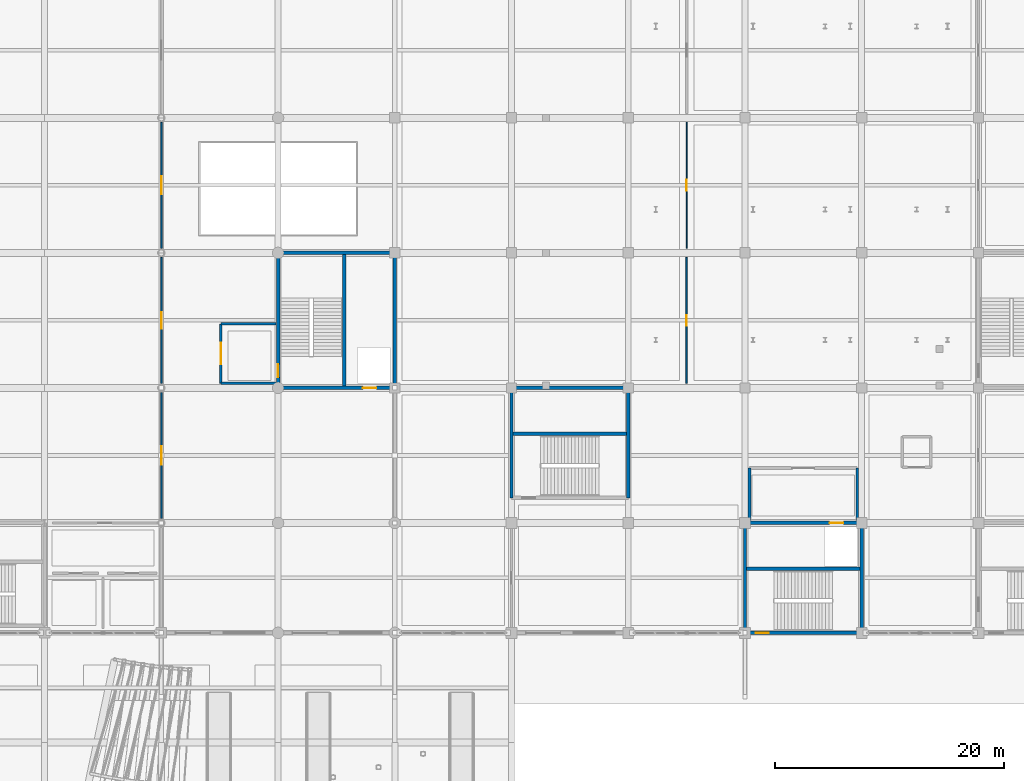
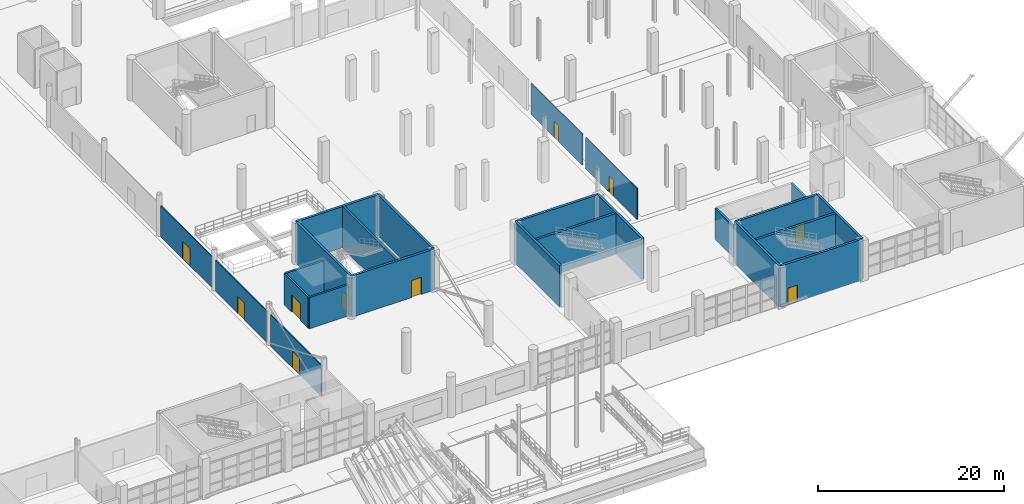
# One storey, part 92 of 124: 24 walls, 10 doors, 10 openings.
"""IFC4 building model written with IfcOpenShell, lengths in metres."""

from ifc_helpers import new_model, si_unit, direction, frame, frame_2d, origin, place, context, subcontext, project, spatial, rectangle, extrude, material, layer, layer_set, type_object, element, fill, save


model = new_model("IFC4")

# Units and contexts
model_context = context("Model", 3, precision=1e-05, world=origin(), true_north=direction((0.0, 1.0)))
body_context = subcontext(model_context, "Body", "Model", "MODEL_VIEW")
ifc_project = project(units=[si_unit("LENGTHUNIT", "METRE"), si_unit("AREAUNIT", "SQUARE_METRE"), si_unit("VOLUMEUNIT", "CUBIC_METRE"), si_unit("PLANEANGLEUNIT", "RADIAN"), si_unit("MASSUNIT", "GRAM", prefix="KILO")], contexts=[model_context])

# Site, building, storey
site_placement = place(None, origin())
site = spatial("IfcSite", under=ifc_project, at=site_placement, CompositionType="ELEMENT")
building_placement = place(site_placement, origin())
building = spatial("IfcBuilding", under=site, at=building_placement, Name="Brelvane Convention Centre", CompositionType="ELEMENT")
storey_placement = place(building_placement, origin())
storey = spatial("IfcBuildingStorey", under=building, at=storey_placement, Name="L00", CompositionType="ELEMENT", Elevation=0.0)

# Wall, opening, door
ifc_material_1 = material(Name="Concrete M40", Category="concrete")
ifc_layer_1 = layer(ifc_material_1, 0.239990234375)
ifc_layer_set_1 = layer_set([ifc_layer_1], Name="Concrete M40")
wall_type_1 = type_object("IfcWallType", Name="Interior Wall IW-FR-240", PredefinedType="PARTITIONING", material=ifc_layer_set_1)
wall_1_placement = place(storey_placement, frame((148.0, 41.0, 0.0), z_axis=(0.0, 0.0, 1.0), x_axis=(0.0, 1.0, 0.0)))
wall_1 = element("IfcWall", 1, at=wall_1_placement, inside=storey, type_object=wall_type_1, Name="Firefighting Lobby C3 Wall W (L00)", PredefinedType="PARTITIONING", context=body_context, shape_type="SweptSolid", body=[
    extrude(rectangle(XDim=5.199951171875, YDim=0.239990234375, at=frame_2d((2.60009765625, 0.0))), origin(), (0.0, 0.0, 1.0), 4.080078125),
])
opening_1_placement = place(wall_1_placement, frame((1.64990234375, 0.0, 0.0)))
opening_1 = element("IfcOpeningElement", 2, at=opening_1_placement, cuts=wall_1, Name="Opening DR-FL-01", PredefinedType="OPENING", context=body_context, shape_type="SweptSolid", body=[
    extrude(rectangle(XDim=1.89990234375, YDim=2.25, at=frame_2d((0.949951171875, 1.125))), frame((0.0, 0.1298828125, 0.0), z_axis=(0.0, -1.0, 0.0), x_axis=(1.0, 0.0, 0.0)), (0.0, 0.0, 1.0), 0.260009765625),
])
ifc_material_2 = material(Name="Galvanised Hollow-Metal Fire Door Steel E250", Category="steel")
door_type_1 = type_object("IfcDoorType", Name="Interior Door DR-FL-01", OperationType="NOTDEFINED", PredefinedType="DOOR", material=ifc_material_2)
door_1_placement = place(opening_1_placement, origin())
door_1 = element("IfcDoor", 3, at=door_1_placement, inside=storey, type_object=door_type_1, Name="Firefighting Lobby C3 Smoke Door (L00)", OperationType="DOUBLE_DOOR_SINGLE_SWING", OverallHeight=2.25, OverallWidth=1.89990234375, PredefinedType="DOOR", context=body_context, shape_type="SweptSolid", body=[
    extrude(rectangle(XDim=1.89990234375, YDim=2.25, at=frame_2d((0.949951171875, 1.125))), frame((0.0, 0.02490234375, 0.0), z_axis=(0.0, -1.0, 0.0), x_axis=(1.0, 0.0, 0.0)), (0.0, 0.0, 1.0), 0.050048828125),
])
fill(opening_1, door_1)

# Walls
for number, where, z_axis, x_axis, name in (
    (4, (148.0, 46.199951171875, 0.0), (0.0, 0.0, 1.0), (1.0, 0.0, 0.0), "Firefighting Lobby C3 Wall N (L00)"),
    (5, (148.0, 41.0, 0.0), (0.0, 0.0, 1.0), (1.0, 0.0, 0.0), "Firefighting Lobby C3 Wall S (L00)"),
):
    element("IfcWall", number, at=place(storey_placement, frame(where, z_axis=z_axis, x_axis=x_axis)), inside=storey, type_object=wall_type_1, Name=name, PredefinedType="PARTITIONING", context=body_context, shape_type="SweptSolid", body=[
        extrude(rectangle(XDim=4.800048828125, YDim=0.239990234375, at=frame_2d((2.39990234375, 0.0))), origin(), (0.0, 0.0, 1.0), 4.080078125),
    ])
for number, where, z_axis, x_axis, name in (
    (6, (203.60009765625, 29.0, 0.0), (0.0, 0.0, 1.0), (0.0, 1.0, 0.0), "Firefighting Lobby C8 Wall E (L00)"),
    (7, (194.199951171875, 29.0, 0.0), (0.0, 0.0, 1.0), (0.0, 1.0, 0.0), "Firefighting Lobby C8 Wall W (L00)"),
):
    element("IfcWall", number, at=place(storey_placement, frame(where, z_axis=z_axis, x_axis=x_axis)), inside=storey, type_object=wall_type_1, Name=name, PredefinedType="PARTITIONING", context=body_context, shape_type="SweptSolid", body=[
        extrude(rectangle(XDim=4.60009765625, YDim=0.239990234375, at=frame_2d((2.300048828125, 0.0))), origin(), (0.0, 0.0, 1.0), 4.080078125),
    ])

# Wall, opening, door
ifc_material_3 = material(Name="Fire-Rated Acoustic Gypsum Partition Board Grade A")
ifc_layer_2 = layer(ifc_material_3, 0.10498046875)
ifc_layer_set_2 = layer_set([ifc_layer_2], Name="Fire-Rated Acoustic Gypsum Partition Board Grade A")
wall_type_2 = type_object("IfcWallType", Name="Interior Wall IW-PT-105", PredefinedType="PARTITIONING", material=ifc_layer_set_2)
wall_2_placement = place(storey_placement, frame((188.699951171875, 52.800048828125, 0.0), z_axis=(0.0, 0.0, 1.0), x_axis=(0.0, 1.0, 0.0)))
wall_2 = element("IfcWall", 8, at=wall_2_placement, inside=storey, type_object=wall_type_2, Name="Interior Partition L00-MED-2", PredefinedType="PARTITIONING", context=body_context, shape_type="SweptSolid", body=[
    extrude(rectangle(XDim=11.0, YDim=0.10498046875, at=frame_2d((5.5, 0.0))), origin(), (0.0, 0.0, 1.0), 4.080078125),
])
opening_2_placement = place(wall_2_placement, frame((5.02001953125, 0.0, 0.0)))
opening_2 = element("IfcOpeningElement", 9, at=opening_2_placement, cuts=wall_2, Name="Opening DR-IN-03R", PredefinedType="OPENING", context=body_context, shape_type="SweptSolid", body=[
    extrude(rectangle(XDim=0.9599609375, YDim=2.10009765625, at=frame_2d((0.47998046875, 1.050048828125))), frame((0.0, 0.0625, 0.0), z_axis=(0.0, -1.0, 0.0), x_axis=(1.0, 0.0, 0.0)), (0.0, 0.0, 1.0), 0.125),
])
ifc_material_4 = material(Name="Solid-Core Fire-Rated Hardwood Leaf Grade 1", Category="wood")
door_type_2 = type_object("IfcDoorType", Name="Interior Door DR-IN-03R", OperationType="NOTDEFINED", PredefinedType="DOOR", material=ifc_material_4)
door_2_placement = place(opening_2_placement, origin())
door_2 = element("IfcDoor", 10, at=door_2_placement, inside=storey, type_object=door_type_2, Name="Interior Door L00-MED-2 (DR-IN-03R)", OperationType="SINGLE_SWING_RIGHT", OverallHeight=2.10009765625, OverallWidth=0.9599609375, PredefinedType="DOOR", context=body_context, shape_type="SweptSolid", body=[
    extrude(rectangle(XDim=0.9599609375, YDim=2.10009765625, at=frame_2d((0.47998046875, 1.050048828125))), frame((0.0, 0.02490234375, 0.0), z_axis=(0.0, -1.0, 0.0), x_axis=(1.0, 0.0, 0.0)), (0.0, 0.0, 1.0), 0.050048828125),
])
fill(opening_2, door_2)

ifc_material_5 = material(Name="Fire-Rated Acoustic Gypsum Partition Board Grade A")
ifc_layer_3 = layer(ifc_material_5, 0.114990234375)
ifc_layer_set_3 = layer_set([ifc_layer_3], Name="Fire-Rated Acoustic Gypsum Partition Board Grade A")
wall_type_3 = type_object("IfcWallType", Name="Interior Wall IW-PT-115", PredefinedType="PARTITIONING", material=ifc_layer_set_3)
wall_3_placement = place(storey_placement, frame((142.800048828125, 52.800048828125, 0.0), z_axis=(0.0, 0.0, 1.0), x_axis=(0.0, 1.0, 0.0)))
wall_3 = element("IfcWall", 11, at=wall_3_placement, inside=storey, type_object=wall_type_3, Name="Interior Partition L00-EXH-E3", PredefinedType="PARTITIONING", context=body_context, shape_type="SweptSolid", body=[
    extrude(rectangle(XDim=11.0, YDim=0.114990234375, at=frame_2d((5.5, 0.0))), origin(), (0.0, 0.0, 1.0), 4.080078125),
])
opening_3_placement = place(wall_3_placement, frame((4.72509765625, 0.0, 0.0)))
opening_3 = element("IfcOpeningElement", 12, at=opening_3_placement, cuts=wall_3, Name="Opening DR-IN-16", PredefinedType="OPENING", context=body_context, shape_type="SweptSolid", body=[
    extrude(rectangle(XDim=1.550048828125, YDim=2.239990234375, at=frame_2d((0.77490234375, 1.1201171875))), frame((0.0, 0.0673828125, 0.0), z_axis=(0.0, -1.0, 0.0), x_axis=(1.0, 0.0, 0.0)), (0.0, 0.0, 1.0), 0.135009765625),
])
ifc_material_6 = material(Name="Solid-Core Fire-Rated Hardwood Leaf Grade 1", Category="wood")
door_type_3 = type_object("IfcDoorType", Name="Interior Door DR-IN-16", OperationType="NOTDEFINED", PredefinedType="DOOR", material=ifc_material_6)
door_3_placement = place(opening_3_placement, origin())
door_3 = element("IfcDoor", 13, at=door_3_placement, inside=storey, type_object=door_type_3, Name="Interior Door L00-EXH-E3 (DR-IN-16)", OperationType="DOUBLE_DOOR_SINGLE_SWING", OverallHeight=2.239990234375, OverallWidth=1.550048828125, PredefinedType="DOOR", context=body_context, shape_type="SweptSolid", body=[
    extrude(rectangle(XDim=1.550048828125, YDim=2.239990234375, at=frame_2d((0.77490234375, 1.1201171875))), frame((0.0, 0.02490234375, 0.0), z_axis=(0.0, -1.0, 0.0), x_axis=(1.0, 0.0, 0.0)), (0.0, 0.0, 1.0), 0.050048828125),
])
fill(opening_3, door_3)

wall_4_placement = place(storey_placement, frame((188.699951171875, 41.0, 0.0), z_axis=(0.0, 0.0, 1.0), x_axis=(0.0, 1.0, 0.0)))
wall_4 = element("IfcWall", 14, at=wall_4_placement, inside=storey, type_object=wall_type_3, Name="Interior Partition L00-MED-1", PredefinedType="PARTITIONING", context=body_context, shape_type="SweptSolid", body=[
    extrude(rectangle(XDim=11.0, YDim=0.114990234375, at=frame_2d((5.5, 0.0))), origin(), (0.0, 0.0, 1.0), 4.080078125),
])
opening_4_placement = place(wall_4_placement, frame((5.0400390625, 0.0, 0.0)))
opening_4 = element("IfcOpeningElement", 15, at=opening_4_placement, cuts=wall_4, Name="Opening DR-IN-03L", PredefinedType="OPENING", context=body_context, shape_type="SweptSolid", body=[
    extrude(rectangle(XDim=0.919921875, YDim=2.10009765625, at=frame_2d((0.4599609375, 1.050048828125))), frame((0.0, 0.0673828125, 0.0), z_axis=(0.0, -1.0, 0.0), x_axis=(1.0, 0.0, 0.0)), (0.0, 0.0, 1.0), 0.135009765625),
])
ifc_material_7 = material(Name="Solid-Core Fire-Rated Hardwood Leaf Grade 1", Category="wood")
door_type_4 = type_object("IfcDoorType", Name="Interior Door DR-IN-03L", OperationType="NOTDEFINED", PredefinedType="DOOR", material=ifc_material_7)
door_4_placement = place(opening_4_placement, origin())
door_4 = element("IfcDoor", 16, at=door_4_placement, inside=storey, type_object=door_type_4, Name="Interior Door L00-MED-1 (DR-IN-03L)", OperationType="SINGLE_SWING_LEFT", OverallHeight=2.10009765625, OverallWidth=0.919921875, PredefinedType="DOOR", context=body_context, shape_type="SweptSolid", body=[
    extrude(rectangle(XDim=0.919921875, YDim=2.10009765625, at=frame_2d((0.4599609375, 1.050048828125))), frame((0.0, 0.02490234375, 0.0), z_axis=(0.0, -1.0, 0.0), x_axis=(1.0, 0.0, 0.0)), (0.0, 0.0, 1.0), 0.050048828125),
])
fill(opening_4, door_4)

ifc_material_8 = material(Name="Fire-Rated Acoustic Gypsum Partition Board Grade A")
ifc_layer_4 = layer(ifc_material_8, 0.125)
ifc_layer_set_4 = layer_set([ifc_layer_4], Name="Fire-Rated Acoustic Gypsum Partition Board Grade A")
wall_type_4 = type_object("IfcWallType", Name="Interior Wall IW-PT-125", PredefinedType="PARTITIONING", material=ifc_layer_set_4)
wall_5_placement = place(storey_placement, frame((142.800048828125, 41.0, 0.0), z_axis=(0.0, 0.0, 1.0), x_axis=(0.0, 1.0, 0.0)))
wall_5 = element("IfcWall", 17, at=wall_5_placement, inside=storey, type_object=wall_type_4, Name="Interior Partition L00-EXH-E2", PredefinedType="PARTITIONING", context=body_context, shape_type="SweptSolid", body=[
    extrude(rectangle(XDim=11.0, YDim=0.125, at=frame_2d((5.5, 0.0))), origin(), (0.0, 0.0, 1.0), 4.080078125),
])
opening_5_placement = place(wall_5_placement, frame((4.77490234375, 0.0, 0.0)))
opening_5 = element("IfcOpeningElement", 18, at=opening_5_placement, cuts=wall_5, Name="Opening DR-IN-15", PredefinedType="OPENING", context=body_context, shape_type="SweptSolid", body=[
    extrude(rectangle(XDim=1.449951171875, YDim=2.219970703125, at=frame_2d((0.72509765625, 1.10986328125))), frame((0.0, 0.072509765625, 0.0), z_axis=(0.0, -1.0, 0.0), x_axis=(1.0, 0.0, 0.0)), (0.0, 0.0, 1.0), 0.14501953125),
])
ifc_material_9 = material(Name="Solid-Core Fire-Rated Hardwood Leaf Grade 1", Category="wood")
door_type_5 = type_object("IfcDoorType", Name="Interior Door DR-IN-15", OperationType="NOTDEFINED", PredefinedType="DOOR", material=ifc_material_9)
door_5_placement = place(opening_5_placement, origin())
door_5 = element("IfcDoor", 19, at=door_5_placement, inside=storey, type_object=door_type_5, Name="Interior Door L00-EXH-E2 (DR-IN-15)", OperationType="DOUBLE_DOOR_SINGLE_SWING", OverallHeight=2.219970703125, OverallWidth=1.449951171875, PredefinedType="DOOR", context=body_context, shape_type="SweptSolid", body=[
    extrude(rectangle(XDim=1.449951171875, YDim=2.219970703125, at=frame_2d((0.72509765625, 1.10986328125))), frame((0.0, 0.02490234375, 0.0), z_axis=(0.0, -1.0, 0.0), x_axis=(1.0, 0.0, 0.0)), (0.0, 0.0, 1.0), 0.050048828125),
])
fill(opening_5, door_5)

ifc_material_10 = material(Name="Fire-Rated Acoustic Gypsum Partition Board Grade A")
ifc_layer_5 = layer(ifc_material_10, 0.135009765625)
ifc_layer_set_5 = layer_set([ifc_layer_5], Name="Fire-Rated Acoustic Gypsum Partition Board Grade A")
wall_type_5 = type_object("IfcWallType", Name="Interior Wall IW-PT-135", PredefinedType="PARTITIONING", material=ifc_layer_set_5)
wall_6_placement = place(storey_placement, frame((142.800048828125, 29.199951171875, 0.0), z_axis=(0.0, 0.0, 1.0), x_axis=(0.0, 1.0, 0.0)))
wall_6 = element("IfcWall", 20, at=wall_6_placement, inside=storey, type_object=wall_type_5, Name="Interior Partition L00-EXH-E1", PredefinedType="PARTITIONING", context=body_context, shape_type="SweptSolid", body=[
    extrude(rectangle(XDim=11.0, YDim=0.135009765625, at=frame_2d((5.5, 0.0))), origin(), (0.0, 0.0, 1.0), 4.080078125),
])
opening_6_placement = place(wall_6_placement, frame((4.699951171875, 0.0, 0.0)))
opening_6 = element("IfcOpeningElement", 21, at=opening_6_placement, cuts=wall_6, Name="Opening DR-FL-02", PredefinedType="OPENING", context=body_context, shape_type="SweptSolid", body=[
    extrude(rectangle(XDim=1.60009765625, YDim=2.199951171875, at=frame_2d((0.800048828125, 1.10009765625))), frame((0.0, 0.077392578125, 0.0), z_axis=(0.0, -1.0, 0.0), x_axis=(1.0, 0.0, 0.0)), (0.0, 0.0, 1.0), 0.155029296875),
])
ifc_material_11 = material(Name="Galvanised Hollow-Metal Fire Door Steel E250", Category="steel")
door_type_6 = type_object("IfcDoorType", Name="Interior Door DR-FL-02", OperationType="NOTDEFINED", PredefinedType="DOOR", material=ifc_material_11)
door_6_placement = place(opening_6_placement, origin())
door_6 = element("IfcDoor", 22, at=door_6_placement, inside=storey, type_object=door_type_6, Name="Interior Door L00-EXH-E1 (DR-FL-02)", OperationType="DOUBLE_DOOR_SINGLE_SWING", OverallHeight=2.199951171875, OverallWidth=1.60009765625, PredefinedType="DOOR", context=body_context, shape_type="SweptSolid", body=[
    extrude(rectangle(XDim=1.60009765625, YDim=2.199951171875, at=frame_2d((0.800048828125, 1.10009765625))), frame((0.0, 0.02490234375, 0.0), z_axis=(0.0, -1.0, 0.0), x_axis=(1.0, 0.0, 0.0)), (0.0, 0.0, 1.0), 0.050048828125),
])
fill(opening_6, door_6)

ifc_material_12 = material(Name="Concrete M50", Category="concrete")
ifc_layer_6 = layer(ifc_material_12, 0.300048828125)
ifc_layer_set_6 = layer_set([ifc_layer_6], Name="Concrete M50")
wall_type_6 = type_object("IfcWallType", Name="Structural Wall WL-CORE-300", PredefinedType="SHEAR", material=ifc_layer_set_6)
wall_7_placement = place(storey_placement, frame((153.0, 40.60009765625, 0.0), z_axis=(0.0, 0.0, 1.0), x_axis=(1.0, 0.0, 0.0)))
wall_7 = element("IfcWall", 23, at=wall_7_placement, inside=storey, type_object=wall_type_6, Name="Core C3 Shear Wall S (L00)", PredefinedType="SHEAR", context=body_context, shape_type="SweptSolid", body=[
    extrude(rectangle(XDim=10.199951171875, YDim=0.300048828125, at=frame_2d((5.10009765625, 0.0))), origin(), (0.0, 0.0, 1.0), 5.39990234375),
])
opening_7_placement = place(wall_7_placement, frame((7.39990234375, 0.0, 0.0)))
opening_7 = element("IfcOpeningElement", 24, at=opening_7_placement, cuts=wall_7, Name="Opening LD-01", PredefinedType="OPENING", context=body_context, shape_type="SweptSolid", body=[
    extrude(rectangle(XDim=1.199951171875, YDim=2.25, at=frame_2d((0.60009765625, 1.125))), frame((0.0, 0.159912109375, 0.0), z_axis=(0.0, -1.0, 0.0), x_axis=(1.0, 0.0, 0.0)), (0.0, 0.0, 1.0), 0.320068359375),
])
ifc_material_13 = material(Name="Galvanised Hollow-Metal Fire Door Steel E250", Category="steel")
door_type_7 = type_object("IfcDoorType", Name="Interior Door LD-01", OperationType="NOTDEFINED", PredefinedType="DOOR", material=ifc_material_13)
door_7_placement = place(opening_7_placement, origin())
door_7 = element("IfcDoor", 25, at=door_7_placement, inside=storey, type_object=door_type_7, Name="Lift LF-02 Landing Door (L00)", OperationType="SLIDING_TO_LEFT", OverallHeight=2.25, OverallWidth=1.199951171875, PredefinedType="DOOR", context=body_context, shape_type="SweptSolid", body=[
    extrude(rectangle(XDim=1.199951171875, YDim=2.25, at=frame_2d((0.60009765625, 1.125))), frame((0.0, 0.02490234375, 0.0), z_axis=(0.0, -1.0, 0.0), x_axis=(1.0, 0.0, 0.0)), (0.0, 0.0, 1.0), 0.050048828125),
])
fill(opening_7, door_7)

# Wall
wall_8_placement = place(storey_placement, frame((153.0, 52.39990234375, 0.0), z_axis=(0.0, 0.0, 1.0), x_axis=(1.0, 0.0, 0.0)))
element("IfcWall", 26, at=wall_8_placement, inside=storey, type_object=wall_type_6, Name="Core C3 Shear Wall N (L00)", PredefinedType="SHEAR", context=body_context, shape_type="SweptSolid", body=[
    extrude(rectangle(XDim=10.199951171875, YDim=0.300048828125, at=frame_2d((5.10009765625, 0.0))), origin(), (0.0, 0.0, 1.0), 5.39990234375),
])

# Wall, opening, door
wall_9_placement = place(storey_placement, frame((153.0, 40.60009765625, 0.0), z_axis=(0.0, 0.0, 1.0), x_axis=(0.0, 1.0, 0.0)))
wall_9 = element("IfcWall", 27, at=wall_9_placement, inside=storey, type_object=wall_type_6, Name="Core C3 Shear Wall W (L00)", PredefinedType="SHEAR", context=body_context, shape_type="SweptSolid", body=[
    extrude(rectangle(XDim=11.7998046875, YDim=0.300048828125, at=frame_2d((5.89990234375, 0.0))), origin(), (0.0, 0.0, 1.0), 5.39990234375),
])
opening_8_placement = place(wall_9_placement, frame((0.919921875, 0.0, 0.0)))
opening_8 = element("IfcOpeningElement", 28, at=opening_8_placement, cuts=wall_9, Name="Opening DR-IN-04L", PredefinedType="OPENING", context=body_context, shape_type="SweptSolid", body=[
    extrude(rectangle(XDim=1.159912109375, YDim=2.199951171875, at=frame_2d((0.580078125, 1.10009765625))), frame((0.0, 0.159912109375, 0.0), z_axis=(0.0, -1.0, 0.0), x_axis=(1.0, 0.0, 0.0)), (0.0, 0.0, 1.0), 0.320068359375),
])
ifc_material_14 = material(Name="Galvanised Hollow-Metal Fire Door Steel E250", Category="steel")
door_type_8 = type_object("IfcDoorType", Name="Interior Door DR-IN-04L", OperationType="NOTDEFINED", PredefinedType="DOOR", material=ifc_material_14)
door_8_placement = place(opening_8_placement, origin())
door_8 = element("IfcDoor", 29, at=door_8_placement, inside=storey, type_object=door_type_8, Name="Stair ST-03 Door (L00)", OperationType="SINGLE_SWING_LEFT", OverallHeight=2.199951171875, OverallWidth=1.159912109375, PredefinedType="DOOR", context=body_context, shape_type="SweptSolid", body=[
    extrude(rectangle(XDim=1.159912109375, YDim=2.199951171875, at=frame_2d((0.580078125, 1.10009765625))), frame((0.0, 0.02490234375, 0.0), z_axis=(0.0, -1.0, 0.0), x_axis=(1.0, 0.0, 0.0)), (0.0, 0.0, 1.0), 0.050048828125),
])
fill(opening_8, door_8)

# Wall
wall_10_placement = place(storey_placement, frame((163.199951171875, 40.60009765625, 0.0), z_axis=(0.0, 0.0, 1.0), x_axis=(0.0, 1.0, 0.0)))
element("IfcWall", 30, at=wall_10_placement, inside=storey, type_object=wall_type_6, Name="Core C3 Shear Wall E (L00)", PredefinedType="SHEAR", context=body_context, shape_type="SweptSolid", body=[
    extrude(rectangle(XDim=11.7998046875, YDim=0.300048828125, at=frame_2d((5.89990234375, 0.0))), origin(), (0.0, 0.0, 1.0), 5.39990234375),
])

# Wall, opening, door
wall_11_placement = place(storey_placement, frame((193.800048828125, 19.199951171875, 0.0), z_axis=(0.0, 0.0, 1.0), x_axis=(1.0, 0.0, 0.0)))
wall_11 = element("IfcWall", 31, at=wall_11_placement, inside=storey, type_object=wall_type_6, Name="Core C8 Shear Wall S (L00)", PredefinedType="SHEAR", context=body_context, shape_type="SweptSolid", body=[
    extrude(rectangle(XDim=10.199951171875, YDim=0.300048828125, at=frame_2d((5.10009765625, 0.0))), origin(), (0.0, 0.0, 1.0), 5.39990234375),
])
opening_9_placement = place(wall_11_placement, frame((0.919921875, 0.0, 0.0)))
opening_9 = element("IfcOpeningElement", 32, at=opening_9_placement, cuts=wall_11, Name="Opening DR-IN-04L", PredefinedType="OPENING", context=body_context, shape_type="SweptSolid", body=[
    extrude(rectangle(XDim=1.159912109375, YDim=2.199951171875, at=frame_2d((0.580078125, 1.10009765625))), frame((0.0, 0.159912109375, 0.0), z_axis=(0.0, -1.0, 0.0), x_axis=(1.0, 0.0, 0.0)), (0.0, 0.0, 1.0), 0.320068359375),
])
door_9_placement = place(opening_9_placement, frame((1.159912109375, 0.0, 0.0), z_axis=(0.0, 0.0, 1.0), x_axis=(-1.0, 0.0, 0.0)))
door_9 = element("IfcDoor", 33, at=door_9_placement, inside=storey, type_object=door_type_8, Name="Stair ST-08 Door (L00)", OperationType="SINGLE_SWING_LEFT", OverallHeight=2.199951171875, OverallWidth=1.159912109375, PredefinedType="DOOR", context=body_context, shape_type="SweptSolid", body=[
    extrude(rectangle(XDim=1.159912109375, YDim=2.199951171875, at=frame_2d((0.580078125, 1.10009765625))), frame((0.0, 0.02490234375, 0.0), z_axis=(0.0, -1.0, 0.0), x_axis=(1.0, 0.0, 0.0)), (0.0, 0.0, 1.0), 0.050048828125),
])
fill(opening_9, door_9)

wall_12_placement = place(storey_placement, frame((193.800048828125, 28.800048828125, 0.0), z_axis=(0.0, 0.0, 1.0), x_axis=(1.0, 0.0, 0.0)))
wall_12 = element("IfcWall", 34, at=wall_12_placement, inside=storey, type_object=wall_type_6, Name="Core C8 Shear Wall N (L00)", PredefinedType="SHEAR", context=body_context, shape_type="SweptSolid", body=[
    extrude(rectangle(XDim=10.199951171875, YDim=0.300048828125, at=frame_2d((5.10009765625, 0.0))), origin(), (0.0, 0.0, 1.0), 5.39990234375),
])
opening_10_placement = place(wall_12_placement, frame((7.39990234375, 0.0, 0.0)))
opening_10 = element("IfcOpeningElement", 35, at=opening_10_placement, cuts=wall_12, Name="Opening LD-01", PredefinedType="OPENING", context=body_context, shape_type="SweptSolid", body=[
    extrude(rectangle(XDim=1.199951171875, YDim=2.25, at=frame_2d((0.60009765625, 1.125))), frame((0.0, 0.159912109375, 0.0), z_axis=(0.0, -1.0, 0.0), x_axis=(1.0, 0.0, 0.0)), (0.0, 0.0, 1.0), 0.320068359375),
])
door_10_placement = place(opening_10_placement, origin())
door_10 = element("IfcDoor", 36, at=door_10_placement, inside=storey, type_object=door_type_7, Name="Lift LF-05 Landing Door (L00)", OperationType="SLIDING_TO_LEFT", OverallHeight=2.25, OverallWidth=1.199951171875, PredefinedType="DOOR", context=body_context, shape_type="SweptSolid", body=[
    extrude(rectangle(XDim=1.199951171875, YDim=2.25, at=frame_2d((0.60009765625, 1.125))), frame((0.0, 0.02490234375, 0.0), z_axis=(0.0, -1.0, 0.0), x_axis=(1.0, 0.0, 0.0)), (0.0, 0.0, 1.0), 0.050048828125),
])
fill(opening_10, door_10)

# Walls
for number, where, z_axis, x_axis, name in (
    (37, (193.800048828125, 19.199951171875, 0.0), (0.0, 0.0, 1.0), (0.0, 1.0, 0.0), "Core C8 Shear Wall W (L00)"),
    (38, (204.0, 19.199951171875, 0.0), (0.0, 0.0, 1.0), (0.0, 1.0, 0.0), "Core C8 Shear Wall E (L00)"),
):
    element("IfcWall", number, at=place(storey_placement, frame(where, z_axis=z_axis, x_axis=x_axis)), inside=storey, type_object=wall_type_6, Name=name, PredefinedType="SHEAR", context=body_context, shape_type="SweptSolid", body=[
        extrude(rectangle(XDim=9.60009765625, YDim=0.300048828125, at=frame_2d((4.800048828125, 0.0))), origin(), (0.0, 0.0, 1.0), 5.39990234375),
    ])
wall_13_placement = place(storey_placement, frame((158.800048828125, 40.75, 0.0), z_axis=(0.0, 0.0, 1.0), x_axis=(0.0, 1.0, 0.0)))
element("IfcWall", 39, at=wall_13_placement, inside=storey, type_object=wall_type_6, Name="Core C3 Shaft Divider Wall (L00)", PredefinedType="SHEAR", context=body_context, shape_type="SweptSolid", body=[
    extrude(rectangle(XDim=11.5, YDim=0.300048828125, at=frame_2d((5.75, 0.0))), origin(), (0.0, 0.0, 1.0), 5.39990234375),
])
wall_14_placement = place(storey_placement, frame((193.949951171875, 24.800048828125, 0.0), z_axis=(0.0, 0.0, 1.0), x_axis=(1.0, 0.0, 0.0)))
element("IfcWall", 40, at=wall_14_placement, inside=storey, type_object=wall_type_6, Name="Core C8 Shaft Divider Wall (L00)", PredefinedType="SHEAR", context=body_context, shape_type="SweptSolid", body=[
    extrude(rectangle(XDim=9.900146484375, YDim=0.300048828125, at=frame_2d((4.9501953125, 0.0))), origin(), (0.0, 0.0, 1.0), 5.39990234375),
])
wall_15_placement = place(storey_placement, frame((173.39990234375, 40.60009765625, 0.0), z_axis=(0.0, 0.0, 1.0), x_axis=(1.0, 0.0, 0.0)))
element("IfcWall", 41, at=wall_15_placement, inside=storey, type_object=wall_type_6, Name="Stair Core ST-18 Wall N (L00)", PredefinedType="SHEAR", context=body_context, shape_type="SweptSolid", body=[
    extrude(rectangle(XDim=10.2001953125, YDim=0.300048828125, at=frame_2d((5.10009765625, 0.0))), origin(), (0.0, 0.0, 1.0), 5.39990234375),
])
for number, where, z_axis, x_axis, name in (
    (42, (173.39990234375, 31.0, 0.0), (0.0, 0.0, 1.0), (0.0, 1.0, 0.0), "Stair Core ST-18 Wall W (L00)"),
    (43, (183.60009765625, 31.0, 0.0), (0.0, 0.0, 1.0), (0.0, 1.0, 0.0), "Stair Core ST-18 Wall E (L00)"),
):
    element("IfcWall", number, at=place(storey_placement, frame(where, z_axis=z_axis, x_axis=x_axis)), inside=storey, type_object=wall_type_6, Name=name, PredefinedType="SHEAR", context=body_context, shape_type="SweptSolid", body=[
        extrude(rectangle(XDim=9.60009765625, YDim=0.300048828125, at=frame_2d((4.800048828125, 0.0))), origin(), (0.0, 0.0, 1.0), 5.39990234375),
    ])
wall_16_placement = place(storey_placement, frame((173.550048828125, 36.60009765625, 0.0), z_axis=(0.0, 0.0, 1.0), x_axis=(1.0, 0.0, 0.0)))
element("IfcWall", 44, at=wall_16_placement, inside=storey, type_object=wall_type_6, Name="Stair Core ST-18 Well Wall (L00)", PredefinedType="SHEAR", context=body_context, shape_type="SweptSolid", body=[
    extrude(rectangle(XDim=9.89990234375, YDim=0.300048828125, at=frame_2d((4.949951171875, 0.0))), origin(), (0.0, 0.0, 1.0), 5.39990234375),
])

save(model, "model.ifc")
